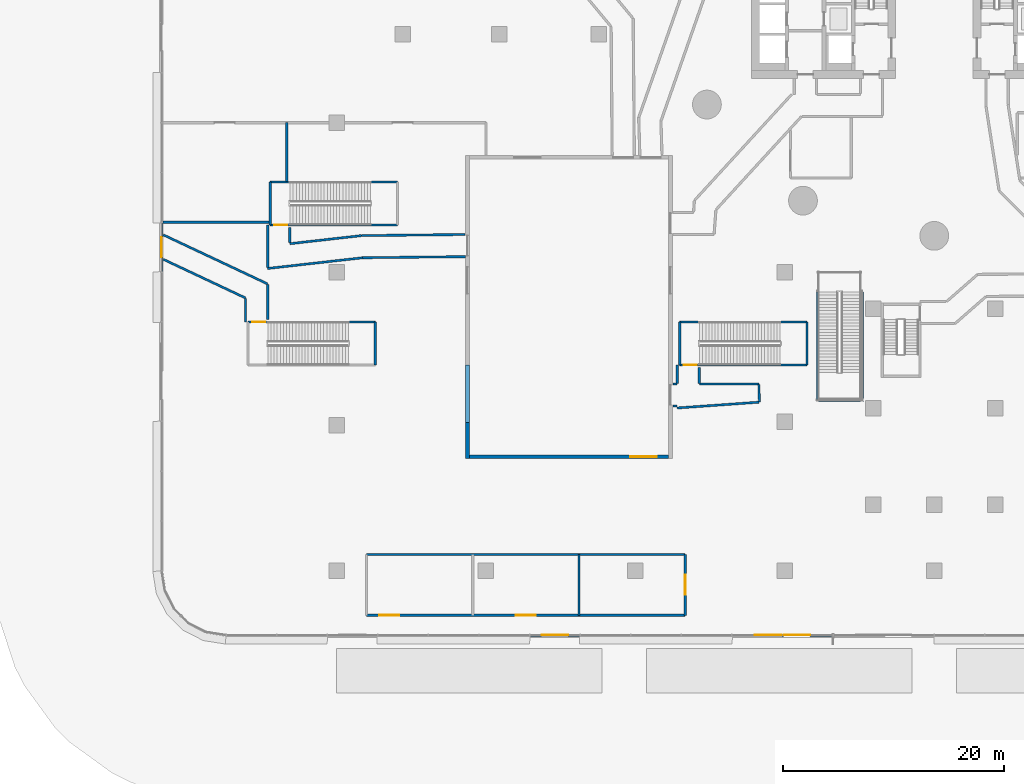
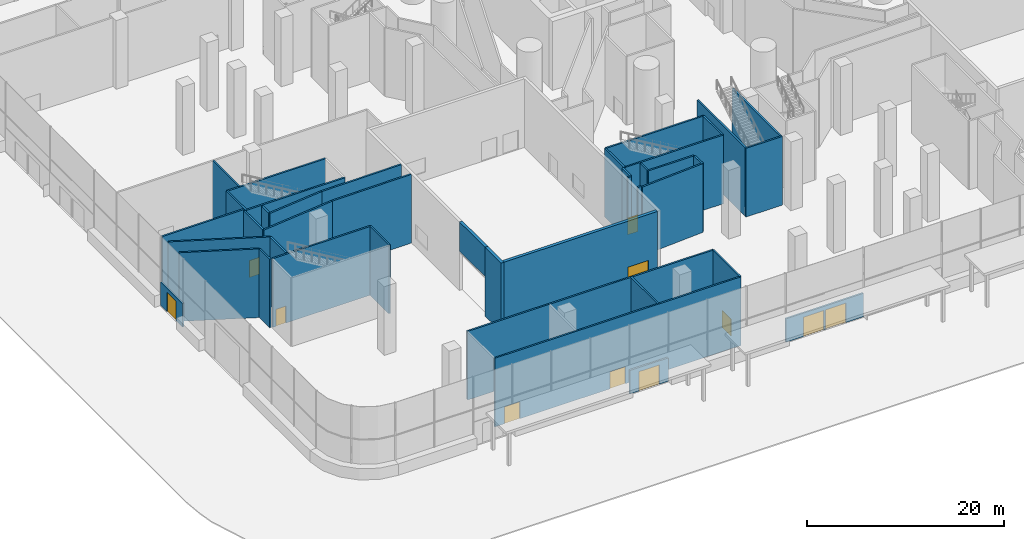
# One storey, part 21 of 54: 41 walls, 10 doors, 1 window, 11 openings.
"""IFC4 building model written with IfcOpenShell, lengths in metres."""

from ifc_helpers import new_model, si_unit, direction, frame, frame_2d, origin, place, context, subcontext, project, spatial, rectangle, extrude, material, layer, layer_set, type_object, element, fill, save


model = new_model("IFC4")

# Units and contexts
model_context = context("Model", 3, precision=1e-05, world=origin(), true_north=direction((0.0, 1.0)))
body_context = subcontext(model_context, "Body", "Model", "MODEL_VIEW")
ifc_project = project(units=[si_unit("LENGTHUNIT", "METRE"), si_unit("AREAUNIT", "SQUARE_METRE"), si_unit("VOLUMEUNIT", "CUBIC_METRE"), si_unit("PLANEANGLEUNIT", "RADIAN"), si_unit("MASSUNIT", "GRAM", prefix="KILO")], contexts=[model_context])

# Site, building, storey
site_placement = place(None, origin())
site = spatial("IfcSite", under=ifc_project, at=site_placement, CompositionType="ELEMENT")
building_placement = place(site_placement, origin())
building = spatial("IfcBuilding", under=site, at=building_placement, Name="Tamarind Cross Interchange Tower", CompositionType="ELEMENT")
storey_placement = place(building_placement, origin())
storey = spatial("IfcBuildingStorey", under=building, at=storey_placement, Name="L00", CompositionType="ELEMENT", Elevation=0.0)

# Walls
ifc_material_1 = material(Name="Precast concrete C40", Category="concrete")
ifc_layer_1 = layer(ifc_material_1, 0.35009765625)
ifc_layer_set_1 = layer_set([ifc_layer_1], Name="Precast concrete C40")
wall_type_1 = type_object("IfcWallType", Name="Court portal pier wall", PredefinedType="SOLIDWALL", material=ifc_layer_set_1)
wall_1_placement = place(storey_placement, frame((-42.175048828125, -43.85009765625, 0.0), z_axis=(0.0, 0.0, 1.0), x_axis=(0.0, 1.0, 0.0)))
element("IfcWall", 1, at=wall_1_placement, inside=storey, type_object=wall_type_1, Name="CTW-L00-SWW00", PredefinedType="SOLIDWALL", context=body_context, shape_type="SweptSolid", body=[
    extrude(rectangle(XDim=3.25, YDim=0.35009765625, at=frame_2d((1.625, 0.0))), origin(), (0.0, 0.0, 1.0), 8.5),
])
ifc_material_2 = material(Name="Masonry partition, fire-rated", Category="masonry")
ifc_layer_2 = layer(ifc_material_2, 0.199951171875)
ifc_layer_set_2 = layer_set([ifc_layer_2], Name="Masonry partition, fire-rated")
wall_type_2 = type_object("IfcWallType", Name="Fire partition 200 EI 120", PredefinedType="PARTITIONING", material=ifc_layer_set_2)
wall_2_placement = place(storey_placement, frame((-58.5, -18.820068359375, 0.0), z_axis=(0.0, 0.0, 1.0), x_axis=(0.0, 1.0, 0.0)))
element("IfcWall", 2, at=wall_2_placement, inside=storey, type_object=wall_type_2, Name="L00 partition 67", PredefinedType="PARTITIONING", context=body_context, shape_type="SweptSolid", body=[
    extrude(rectangle(XDim=5.320068359375, YDim=0.199951171875, at=frame_2d((2.66015625, 0.0))), origin(), (0.0, 0.0, 1.0), 8.5),
])

# Wall, openings, doors
wall_3_placement = place(storey_placement, frame((-51.300048828125, -58.0, 0.0), z_axis=(0.0, 0.0, 1.0), x_axis=(1.0, 0.0, 0.0)))
wall_3 = element("IfcWall", 3, at=wall_3_placement, inside=storey, type_object=wall_type_2, Name="L00 partition 74", PredefinedType="PARTITIONING", context=body_context, shape_type="SweptSolid", body=[
    extrude(rectangle(XDim=28.800048828125, YDim=0.199951171875, at=frame_2d((14.39990234375, 0.0))), origin(), (0.0, 0.0, 1.0), 8.5),
])
opening_1_placement = place(wall_3_placement, frame((13.5, 0.0, 0.0)))
opening_1 = element("IfcOpeningElement", 4, at=opening_1_placement, cuts=wall_3, Name="Opening DL00-30", PredefinedType="OPENING", context=body_context, shape_type="SweptSolid", body=[
    extrude(rectangle(XDim=1.800048828125, YDim=2.10009765625, at=frame_2d((0.89990234375, 1.050048828125))), frame((0.0, 0.10986328125, 0.0), z_axis=(0.0, -1.0, 0.0), x_axis=(1.0, 0.0, 0.0)), (0.0, 0.0, 1.0), 0.219970703125),
])
opening_2_placement = place(wall_3_placement, frame((1.159912109375, 0.0, 0.0)))
opening_2 = element("IfcOpeningElement", 5, at=opening_2_placement, cuts=wall_3, Name="Opening DL00-31", PredefinedType="OPENING", context=body_context, shape_type="SweptSolid", body=[
    extrude(rectangle(XDim=1.800048828125, YDim=2.10009765625, at=frame_2d((0.89990234375, 1.050048828125))), frame((0.0, 0.10986328125, 0.0), z_axis=(0.0, -1.0, 0.0), x_axis=(1.0, 0.0, 0.0)), (0.0, 0.0, 1.0), 0.219970703125),
])
ifc_material_3 = material(Name="Steel, fire-resisting", Category="steel")
door_type_1 = type_object("IfcDoorType", Name="Podium door 1800 x 2100 FD60", OperationType="SINGLE_SWING_LEFT", PredefinedType="DOOR", material=ifc_material_3)
door_1_placement = place(opening_1_placement, origin())
door_1 = element("IfcDoor", 6, at=door_1_placement, inside=storey, type_object=door_type_1, Name="L00 door Transit Control Room", OperationType="SINGLE_SWING_RIGHT", OverallHeight=2.10009765625, OverallWidth=1.800048828125, PredefinedType="DOOR", context=body_context, shape_type="SweptSolid", body=[
    extrude(rectangle(XDim=1.800048828125, YDim=2.10009765625, at=frame_2d((0.89990234375, 1.050048828125))), frame((0.0, 0.02490234375, 0.0), z_axis=(0.0, -1.0, 0.0), x_axis=(1.0, 0.0, 0.0)), (0.0, 0.0, 1.0), 0.050048828125),
])
fill(opening_1, door_1)
door_2_placement = place(opening_2_placement, origin())
door_2 = element("IfcDoor", 7, at=door_2_placement, inside=storey, type_object=door_type_1, Name="L00 door Fire Control Room", OperationType="SINGLE_SWING_LEFT", OverallHeight=2.10009765625, OverallWidth=1.800048828125, PredefinedType="DOOR", context=body_context, shape_type="SweptSolid", body=[
    extrude(rectangle(XDim=1.800048828125, YDim=2.10009765625, at=frame_2d((0.89990234375, 1.050048828125))), frame((0.0, 0.02490234375, 0.0), z_axis=(0.0, -1.0, 0.0), x_axis=(1.0, 0.0, 0.0)), (0.0, 0.0, 1.0), 0.050048828125),
])
fill(opening_2, door_2)

# Wall
wall_4_placement = place(storey_placement, frame((-51.300048828125, -52.5, 0.0), z_axis=(0.0, 0.0, 1.0), x_axis=(1.0, 0.0, 0.0)))
element("IfcWall", 8, at=wall_4_placement, inside=storey, type_object=wall_type_2, Name="L00 partition 77", PredefinedType="PARTITIONING", context=body_context, shape_type="SweptSolid", body=[
    extrude(rectangle(XDim=28.800048828125, YDim=0.199951171875, at=frame_2d((14.39990234375, 0.0))), origin(), (0.0, 0.0, 1.0), 8.5),
])

# Wall, opening, door
wall_5_placement = place(storey_placement, frame((-22.5, -58.0, 0.0), z_axis=(0.0, 0.0, 1.0), x_axis=(0.0, 1.0, 0.0)))
wall_5 = element("IfcWall", 9, at=wall_5_placement, inside=storey, type_object=wall_type_2, Name="L00 partition 80", PredefinedType="PARTITIONING", context=body_context, shape_type="SweptSolid", body=[
    extrude(rectangle(XDim=5.5, YDim=0.199951171875, at=frame_2d((2.75, 0.0))), origin(), (0.0, 0.0, 1.0), 8.5),
])
opening_3_placement = place(wall_5_placement, frame((1.840087890625, 0.0, 0.0)))
opening_3 = element("IfcOpeningElement", 10, at=opening_3_placement, cuts=wall_5, Name="Opening DL00-29", PredefinedType="OPENING", context=body_context, shape_type="SweptSolid", body=[
    extrude(rectangle(XDim=1.800048828125, YDim=2.10009765625, at=frame_2d((0.89990234375, 1.050048828125))), frame((0.0, 0.10986328125, 0.0), z_axis=(0.0, -1.0, 0.0), x_axis=(1.0, 0.0, 0.0)), (0.0, 0.0, 1.0), 0.219970703125),
])
door_3_placement = place(opening_3_placement, origin())
door_3 = element("IfcDoor", 11, at=door_3_placement, inside=storey, type_object=door_type_1, Name="L00 door Station Security Room", OperationType="SINGLE_SWING_LEFT", OverallHeight=2.10009765625, OverallWidth=1.800048828125, PredefinedType="DOOR", context=body_context, shape_type="SweptSolid", body=[
    extrude(rectangle(XDim=1.800048828125, YDim=2.10009765625, at=frame_2d((0.89990234375, 1.050048828125))), frame((0.0, 0.02490234375, 0.0), z_axis=(0.0, -1.0, 0.0), x_axis=(1.0, 0.0, 0.0)), (0.0, 0.0, 1.0), 0.050048828125),
])
fill(opening_3, door_3)

# Walls
wall_6_placement = place(storey_placement, frame((-32.10009765625, -58.0, 0.0), z_axis=(0.0, 0.0, 1.0), x_axis=(0.0, 1.0, 0.0)))
element("IfcWall", 12, at=wall_6_placement, inside=storey, type_object=wall_type_2, Name="L00 partition 81", PredefinedType="PARTITIONING", context=body_context, shape_type="SweptSolid", body=[
    extrude(rectangle(XDim=5.5, YDim=0.199951171875, at=frame_2d((2.75, 0.0))), origin(), (0.0, 0.0, 1.0), 8.5),
])
ifc_layer_3 = layer(ifc_material_2, 0.199951171875)
ifc_layer_set_3 = layer_set([ifc_layer_3], Name="Masonry partition, fire-rated")
wall_type_3 = type_object("IfcWallType", Name="Fire partition 200 EI 180", PredefinedType="PARTITIONING", material=ifc_layer_set_3)
wall_7_placement = place(storey_placement, frame((-69.698974609375, -22.5, 0.0), z_axis=(0.0, 0.0, 1.0), x_axis=(1.0, 0.0, 0.0)))
element("IfcWall", 13, at=wall_7_placement, inside=storey, type_object=wall_type_3, Name="L00 partition 61", PredefinedType="PARTITIONING", context=body_context, shape_type="SweptSolid", body=[
    extrude(rectangle(XDim=9.6689453125, YDim=0.199951171875, at=frame_2d((4.83447265625, 0.0))), origin(), (0.0, 0.0, 1.0), 8.5),
])

# Wall, opening, door
ifc_layer_4 = layer(ifc_material_1, 0.35009765625)
ifc_layer_set_4 = layer_set([ifc_layer_4], Name="Precast concrete C40")
wall_type_4 = type_object("IfcWallType", Name="Podium facade wall", PredefinedType="SOLIDWALL", material=ifc_layer_set_4)
wall_8_placement = place(storey_placement, frame((-69.800048828125, -22.533447265625, 0.0), z_axis=(0.0, 0.0, 1.0), x_axis=(0.0, -1.0, 0.0)))
wall_8 = element("IfcWall", 14, at=wall_8_placement, inside=storey, type_object=wall_type_4, Name="EXW-L00-04-D17", PredefinedType="SOLIDWALL", context=body_context, shape_type="SweptSolid", body=[
    extrude(rectangle(XDim=4.418701171875, YDim=0.199951171875, at=frame_2d((2.20947265625, 0.0))), origin(), (0.0, 0.0, 1.0), 2.89990234375),
])
opening_4_placement = place(wall_8_placement, frame((1.309326171875, 0.0, 0.0)))
opening_4 = element("IfcOpeningElement", 15, at=opening_4_placement, cuts=wall_8, Name="Opening D7", PredefinedType="OPENING", context=body_context, shape_type="SweptSolid", body=[
    extrude(rectangle(XDim=1.800048828125, YDim=2.39990234375, at=frame_2d((0.89990234375, 1.199951171875))), frame((0.0, 0.10986328125, 0.0), z_axis=(0.0, -1.0, 0.0), x_axis=(1.0, 0.0, 0.0)), (0.0, 0.0, 1.0), 0.219970703125),
])
ifc_material_4 = material(Name="Steel FD90", Category="steel")
door_type_2 = type_object("IfcDoorType", Name="Exit passage door", OperationType="DOUBLE_DOOR_SINGLE_SWING", PredefinedType="DOOR", material=ifc_material_4)
door_4_placement = place(opening_4_placement, frame((1.800048828125, 0.0, 0.0), z_axis=(0.0, 0.0, 1.0), x_axis=(-1.0, 0.0, 0.0)))
door_4 = element("IfcDoor", 16, at=door_4_placement, inside=storey, type_object=door_type_2, Name="DOR-L00-04-17", OperationType="SINGLE_SWING_LEFT", OverallHeight=2.39990234375, OverallWidth=1.800048828125, PredefinedType="DOOR", context=body_context, shape_type="SweptSolid", body=[
    extrude(rectangle(XDim=1.800048828125, YDim=2.39990234375, at=frame_2d((0.89990234375, 1.199951171875))), frame((0.0, 0.02490234375, 0.0), z_axis=(0.0, -1.0, 0.0), x_axis=(1.0, 0.0, 0.0)), (0.0, 0.0, 1.0), 0.050048828125),
])
fill(opening_4, door_4)

wall_9_placement = place(storey_placement, frame((-36.5224609375, -59.800048828125, 0.0), z_axis=(0.0, 0.0, 1.0), x_axis=(1.0, 0.0, 0.0)))
wall_9 = element("IfcWall", 17, at=wall_9_placement, inside=storey, type_object=wall_type_4, Name="EXW-L00-06-D06", PredefinedType="SOLIDWALL", context=body_context, shape_type="SweptSolid", body=[
    extrude(rectangle(XDim=4.490234375, YDim=0.199951171875, at=frame_2d((2.2451171875, 0.0))), origin(), (0.0, 0.0, 1.0), 2.89990234375),
])
opening_5_placement = place(wall_9_placement, frame((1.045166015625, 0.0, 0.0)))
opening_5 = element("IfcOpeningElement", 18, at=opening_5_placement, cuts=wall_9, Name="Opening D1", PredefinedType="OPENING", context=body_context, shape_type="SweptSolid", body=[
    extrude(rectangle(XDim=2.39990234375, YDim=2.39990234375, at=frame_2d((1.199951171875, 1.199951171875))), frame((0.0, 0.10986328125, 0.0), z_axis=(0.0, -1.0, 0.0), x_axis=(1.0, 0.0, 0.0)), (0.0, 0.0, 1.0), 0.219970703125),
])
ifc_material_5 = material(Name="Toughened glass and aluminium", Category="aluminium")
door_type_3 = type_object("IfcDoorType", Name="Station entrance door", OperationType="DOUBLE_DOOR_DOUBLE_SWING", PredefinedType="DOOR", material=ifc_material_5)
door_5_placement = place(opening_5_placement, frame((2.39990234375, 0.0, 0.0), z_axis=(0.0, 0.0, 1.0), x_axis=(-1.0, 0.0, 0.0)))
door_5 = element("IfcDoor", 19, at=door_5_placement, inside=storey, type_object=door_type_3, Name="DOR-L00-06-06", OperationType="DOUBLE_DOOR_DOUBLE_SWING", OverallHeight=2.39990234375, OverallWidth=2.39990234375, PredefinedType="DOOR", context=body_context, shape_type="SweptSolid", body=[
    extrude(rectangle(XDim=2.39990234375, YDim=2.39990234375, at=frame_2d((1.199951171875, 1.199951171875))), frame((0.0, 0.02490234375, 0.0), z_axis=(0.0, -1.0, 0.0), x_axis=(1.0, 0.0, 0.0)), (0.0, 0.0, 1.0), 0.050048828125),
])
fill(opening_5, door_5)

# Wall, openings, doors
wall_10_placement = place(storey_placement, frame((-18.2412109375, -59.800048828125, 0.0), z_axis=(0.0, 0.0, 1.0), x_axis=(1.0, 0.0, 0.0)))
wall_10 = element("IfcWall", 20, at=wall_10_placement, inside=storey, type_object=wall_type_4, Name="EXW-L00-06-D10", PredefinedType="SOLIDWALL", context=body_context, shape_type="SweptSolid", body=[
    extrude(rectangle(XDim=9.060546875, YDim=0.199951171875, at=frame_2d((4.5302734375, 0.0))), origin(), (0.0, 0.0, 1.0), 2.89990234375),
])
opening_6_placement = place(wall_10_placement, frame((2.0302734375, 0.0, 0.0)))
opening_6 = element("IfcOpeningElement", 21, at=opening_6_placement, cuts=wall_10, Name="Opening D1", PredefinedType="OPENING", context=body_context, shape_type="SweptSolid", body=[
    extrude(rectangle(XDim=2.39990234375, YDim=2.39990234375, at=frame_2d((1.199951171875, 1.199951171875))), frame((0.0, 0.10986328125, 0.0), z_axis=(0.0, -1.0, 0.0), x_axis=(1.0, 0.0, 0.0)), (0.0, 0.0, 1.0), 0.219970703125),
])
opening_7_placement = place(wall_10_placement, frame((4.63037109375, 0.0, 0.0)))
opening_7 = element("IfcOpeningElement", 22, at=opening_7_placement, cuts=wall_10, Name="Opening D1", PredefinedType="OPENING", context=body_context, shape_type="SweptSolid", body=[
    extrude(rectangle(XDim=2.39990234375, YDim=2.39990234375, at=frame_2d((1.199951171875, 1.199951171875))), frame((0.0, 0.10986328125, 0.0), z_axis=(0.0, -1.0, 0.0), x_axis=(1.0, 0.0, 0.0)), (0.0, 0.0, 1.0), 0.219970703125),
])
door_6_placement = place(opening_6_placement, frame((2.39990234375, 0.0, 0.0), z_axis=(0.0, 0.0, 1.0), x_axis=(-1.0, 0.0, 0.0)))
door_6 = element("IfcDoor", 23, at=door_6_placement, inside=storey, type_object=door_type_3, Name="DOR-L00-06-10A", OperationType="DOUBLE_DOOR_DOUBLE_SWING", OverallHeight=2.39990234375, OverallWidth=2.39990234375, PredefinedType="DOOR", context=body_context, shape_type="SweptSolid", body=[
    extrude(rectangle(XDim=2.39990234375, YDim=2.39990234375, at=frame_2d((1.199951171875, 1.199951171875))), frame((0.0, 0.02490234375, 0.0), z_axis=(0.0, -1.0, 0.0), x_axis=(1.0, 0.0, 0.0)), (0.0, 0.0, 1.0), 0.050048828125),
])
fill(opening_6, door_6)
door_7_placement = place(opening_7_placement, frame((2.39990234375, 0.0, 0.0), z_axis=(0.0, 0.0, 1.0), x_axis=(-1.0, 0.0, 0.0)))
door_7 = element("IfcDoor", 24, at=door_7_placement, inside=storey, type_object=door_type_3, Name="DOR-L00-06-10B", OperationType="DOUBLE_DOOR_DOUBLE_SWING", OverallHeight=2.39990234375, OverallWidth=2.39990234375, PredefinedType="DOOR", context=body_context, shape_type="SweptSolid", body=[
    extrude(rectangle(XDim=2.39990234375, YDim=2.39990234375, at=frame_2d((1.199951171875, 1.199951171875))), frame((0.0, 0.02490234375, 0.0), z_axis=(0.0, -1.0, 0.0), x_axis=(1.0, 0.0, 0.0)), (0.0, 0.0, 1.0), 0.050048828125),
])
fill(opening_7, door_7)

# Wall, opening, window
wall_11_placement = place(storey_placement, frame((-42.0, -43.675048828125, 0.0), z_axis=(0.0, 0.0, 1.0), x_axis=(1.0, 0.0, 0.0)))
wall_11 = element("IfcWall", 25, at=wall_11_placement, inside=storey, type_object=wall_type_4, Name="CTW-L00-SWS00", PredefinedType="SOLIDWALL", context=body_context, shape_type="SweptSolid", body=[
    extrude(rectangle(XDim=18.0, YDim=0.35009765625, at=frame_2d((9.0, 0.0))), origin(), (0.0, 0.0, 1.0), 8.5),
])
opening_8_placement = place(wall_11_placement, frame((14.550048828125, 0.0, 1.0)))
opening_8 = element("IfcOpeningElement", 26, at=opening_8_placement, cuts=wall_11, Name="Opening W4", PredefinedType="OPENING", context=body_context, shape_type="SweptSolid", body=[
    extrude(rectangle(XDim=2.39990234375, YDim=1.800048828125, at=frame_2d((1.199951171875, 0.89990234375))), frame((0.0, 0.18505859375, 0.0), z_axis=(0.0, -1.0, 0.0), x_axis=(1.0, 0.0, 0.0)), (0.0, 0.0, 1.0), 0.3701171875),
])
ifc_material_6 = material(Name="Aluminium and toughened glass", Category="aluminium")
window_type = type_object("IfcWindowType", Name="Podium daylight window", PartitioningType="SINGLE_PANEL", PredefinedType="WINDOW", material=ifc_material_6)
window_placement = place(opening_8_placement, origin())
window = element("IfcWindow", 27, at=window_placement, inside=storey, type_object=window_type, Name="CTX-L00-SWS-01-00", OverallHeight=1.800048828125, OverallWidth=2.39990234375, PartitioningType="SINGLE_PANEL", PredefinedType="WINDOW", context=body_context, shape_type="SweptSolid", body=[
    extrude(rectangle(XDim=2.39990234375, YDim=1.800048828125, at=frame_2d((1.199951171875, 0.89990234375))), frame((0.0, 0.030029296875, 0.0), z_axis=(0.0, -1.0, 0.0), x_axis=(1.0, 0.0, 0.0)), (0.0, 0.0, 1.0), 0.06005859375),
])
fill(opening_8, window)

# Walls
wall_12_placement = place(storey_placement, frame((-42.175048828125, -40.60009765625, 4.89990234375), z_axis=(0.0, 0.0, 1.0), x_axis=(0.0, 1.0, 0.0)))
element("IfcWall", 28, at=wall_12_placement, inside=storey, type_object=wall_type_4, Name="CTW-L00-SWW02", PredefinedType="SOLIDWALL", context=body_context, shape_type="SweptSolid", body=[
    extrude(rectangle(XDim=5.2001953125, YDim=0.35009765625, at=frame_2d((2.60009765625, 0.0))), origin(), (0.0, 0.0, 1.0), 3.60009765625),
])
ifc_material_7 = material(Name="Concrete C40", Category="concrete")
ifc_layer_5 = layer(ifc_material_7, 0.199951171875)
ifc_layer_set_5 = layer_set([ifc_layer_5], Name="Concrete C40")
wall_type_5 = type_object("IfcWallType", Name="Protected passage wall 200 EI 180", PredefinedType="PARTITIONING", material=ifc_layer_set_5)
wall_13_placement = place(storey_placement, frame((-62.22509765625, -31.5, 0.0), z_axis=(0.0, 0.0, 1.0), x_axis=(0.0, 1.0, 0.0)))
element("IfcWall", 29, at=wall_13_placement, inside=storey, type_object=wall_type_5, Name="L00 passage wall 191", PredefinedType="PARTITIONING", context=body_context, shape_type="SweptSolid", body=[
    extrude(rectangle(XDim=2.115234375, YDim=0.199951171875, at=frame_2d((1.0576171875, 0.0))), origin(), (0.0, 0.0, 1.0), 8.5),
])
wall_14_placement = place(storey_placement, frame((-62.22509765625, -29.334716796875, 0.0), z_axis=(0.0, 0.0, 1.0), x_axis=(-0.904950834227, 0.425516142623, 0.0)))
element("IfcWall", 30, at=wall_14_placement, inside=storey, type_object=wall_type_5, Name="L00 passage wall 192", PredefinedType="PARTITIONING", context=body_context, shape_type="SweptSolid", body=[
    extrude(rectangle(XDim=8.20458984375, YDim=0.199951171875, at=frame_2d((4.102294921875, 0.0))), origin(), (0.0, 0.0, 1.0), 8.5),
])
wall_15_placement = place(storey_placement, frame((-60.22509765625, -31.280029296875, 0.0), z_axis=(0.0, 0.0, 1.0), x_axis=(0.0, 1.0, 0.0)))
element("IfcWall", 31, at=wall_15_placement, inside=storey, type_object=wall_type_5, Name="L00 passage wall 193", PredefinedType="PARTITIONING", context=body_context, shape_type="SweptSolid", body=[
    extrude(rectangle(XDim=3.164794921875, YDim=0.199951171875, at=frame_2d((1.58251953125, 0.0))), origin(), (0.0, 0.0, 1.0), 8.5),
])
wall_16_placement = place(storey_placement, frame((-60.22509765625, -28.065185546875, 0.0), z_axis=(0.0, 0.0, 1.0), x_axis=(-0.904941384637, 0.425536238611, 0.0)))
element("IfcWall", 32, at=wall_16_placement, inside=storey, type_object=wall_type_5, Name="L00 passage wall 194", PredefinedType="PARTITIONING", context=body_context, shape_type="SweptSolid", body=[
    extrude(rectangle(XDim=10.414794921875, YDim=0.199951171875, at=frame_2d((5.20751953125, 0.0))), origin(), (0.0, 0.0, 1.0), 8.5),
])
wall_17_placement = place(storey_placement, frame((-58.22509765625, -22.969970703125, 0.0), z_axis=(0.0, 0.0, 1.0), x_axis=(0.0, -1.0, 0.0)))
element("IfcWall", 33, at=wall_17_placement, inside=storey, type_object=wall_type_5, Name="L00 passage wall 195", PredefinedType="PARTITIONING", context=body_context, shape_type="SweptSolid", body=[
    extrude(rectangle(XDim=1.36083984375, YDim=0.199951171875, at=frame_2d((0.680419921875, 0.0))), origin(), (0.0, 0.0, 1.0), 8.5),
])
wall_18_placement = place(storey_placement, frame((-58.22509765625, -24.4306640625, 0.0), z_axis=(0.0, 0.0, 1.0), x_axis=(0.993682539148, 0.112227498378, 0.0)))
element("IfcWall", 34, at=wall_18_placement, inside=storey, type_object=wall_type_5, Name="L00 passage wall 196", PredefinedType="PARTITIONING", context=body_context, shape_type="SweptSolid", body=[
    extrude(rectangle(XDim=6.50439453125, YDim=0.199951171875, at=frame_2d((3.252197265625, 0.0))), origin(), (0.0, 0.0, 1.0), 8.5),
])
wall_19_placement = place(storey_placement, frame((-51.76171875, -23.70068359375, 0.0), z_axis=(0.0, 0.0, 1.0), x_axis=(0.999942399474, 0.010733020753, 0.0)))
element("IfcWall", 35, at=wall_19_placement, inside=storey, type_object=wall_type_5, Name="L00 passage wall 197", PredefinedType="PARTITIONING", context=body_context, shape_type="SweptSolid", body=[
    extrude(rectangle(XDim=9.37158203125, YDim=0.199951171875, at=frame_2d((4.685791015625, 0.0))), origin(), (0.0, 0.0, 1.0), 8.5),
])
wall_20_placement = place(storey_placement, frame((-60.22509765625, -22.75, 0.0), z_axis=(0.0, 0.0, 1.0), x_axis=(0.0, -1.0, 0.0)))
element("IfcWall", 36, at=wall_20_placement, inside=storey, type_object=wall_type_5, Name="L00 passage wall 198", PredefinedType="PARTITIONING", context=body_context, shape_type="SweptSolid", body=[
    extrude(rectangle(XDim=3.8193359375, YDim=0.199951171875, at=frame_2d((1.90966796875, 0.0))), origin(), (0.0, 0.0, 1.0), 8.5),
])
wall_21_placement = place(storey_placement, frame((-60.22509765625, -26.669189453125, 0.0), z_axis=(0.0, 0.0, 1.0), x_axis=(0.993683320081, 0.112220583644, 0.0)))
element("IfcWall", 37, at=wall_21_placement, inside=storey, type_object=wall_type_5, Name="L00 passage wall 199", PredefinedType="PARTITIONING", context=body_context, shape_type="SweptSolid", body=[
    extrude(rectangle(XDim=8.641357421875, YDim=0.199951171875, at=frame_2d((4.32080078125, 0.0))), origin(), (0.0, 0.0, 1.0), 8.5),
])
wall_22_placement = place(storey_placement, frame((-51.638427734375, -25.699462890625, 0.0), z_axis=(0.0, 0.0, 1.0), x_axis=(0.999942261828, 0.010745836876, 0.0)))
element("IfcWall", 38, at=wall_22_placement, inside=storey, type_object=wall_type_5, Name="L00 passage wall 200", PredefinedType="PARTITIONING", context=body_context, shape_type="SweptSolid", body=[
    extrude(rectangle(XDim=9.26953125, YDim=0.199951171875, at=frame_2d((4.634765625, 0.0))), origin(), (0.0, 0.0, 1.0), 8.5),
])
wall_23_placement = place(storey_placement, frame((-21.22509765625, -35.6201171875, 0.0), z_axis=(0.0, 0.0, 1.0), x_axis=(0.0, -1.0, 0.0)))
element("IfcWall", 39, at=wall_23_placement, inside=storey, type_object=wall_type_5, Name="L00 passage wall 201", PredefinedType="PARTITIONING", context=body_context, shape_type="SweptSolid", body=[
    extrude(rectangle(XDim=1.429931640625, YDim=0.199951171875, at=frame_2d((0.71484375, 0.0))), origin(), (0.0, 0.0, 1.0), 8.5),
])
wall_24_placement = place(storey_placement, frame((-23.22509765625, -39.10009765625, 0.0), z_axis=(0.0, 0.0, 1.0), x_axis=(-1.0, 0.0, 0.0)))
element("IfcWall", 40, at=wall_24_placement, inside=storey, type_object=wall_type_5, Name="L00 passage wall 202", PredefinedType="PARTITIONING", context=body_context, shape_type="SweptSolid", body=[
    extrude(rectangle(XDim=0.39501953125, YDim=0.199951171875, at=frame_2d((0.197509765625, 0.0))), origin(), (0.0, 0.0, 1.0), 8.5),
])
wall_25_placement = place(storey_placement, frame((-23.22509765625, -35.39990234375, 0.0), z_axis=(0.0, 0.0, 1.0), x_axis=(0.0, -1.0, 0.0)))
element("IfcWall", 41, at=wall_25_placement, inside=storey, type_object=wall_type_5, Name="L00 passage wall 203", PredefinedType="PARTITIONING", context=body_context, shape_type="SweptSolid", body=[
    extrude(rectangle(XDim=1.650146484375, YDim=0.199951171875, at=frame_2d((0.8251953125, 0.0))), origin(), (0.0, 0.0, 1.0), 8.5),
])
wall_26_placement = place(storey_placement, frame((-23.22509765625, -37.10009765625, 0.0), z_axis=(0.0, 0.0, 1.0), x_axis=(-1.0, 0.0, 0.0)))
element("IfcWall", 42, at=wall_26_placement, inside=storey, type_object=wall_type_5, Name="L00 passage wall 204", PredefinedType="PARTITIONING", context=body_context, shape_type="SweptSolid", body=[
    extrude(rectangle(XDim=0.39501953125, YDim=0.199951171875, at=frame_2d((0.197509765625, 0.0))), origin(), (0.0, 0.0, 1.0), 8.5),
])
wall_27_placement = place(storey_placement, frame((-23.22509765625, -39.273681640625, 0.0), z_axis=(0.0, 0.0, 1.0), x_axis=(0.997476420844, 0.070998520131, 0.0)))
element("IfcWall", 43, at=wall_27_placement, inside=storey, type_object=wall_type_5, Name="L00 passage wall 205", PredefinedType="PARTITIONING", context=body_context, shape_type="SweptSolid", body=[
    extrude(rectangle(XDim=7.39990234375, YDim=0.199951171875, at=frame_2d((3.699951171875, 0.0))), origin(), (0.0, 0.0, 1.0), 8.5),
])
wall_28_placement = place(storey_placement, frame((-15.7939453125, -38.744873046875, 0.0), z_axis=(0.0, 0.0, 1.0), x_axis=(-0.035489644916, 0.99937004413, 0.0)))
element("IfcWall", 44, at=wall_28_placement, inside=storey, type_object=wall_type_5, Name="L00 passage wall 206", PredefinedType="PARTITIONING", context=body_context, shape_type="SweptSolid", body=[
    extrude(rectangle(XDim=1.595947265625, YDim=0.199951171875, at=frame_2d((0.7978515625, 0.0))), origin(), (0.0, 0.0, 1.0), 8.5),
])
wall_29_placement = place(storey_placement, frame((-15.852294921875, -37.10009765625, 0.0), z_axis=(0.0, 0.0, 1.0), x_axis=(-1.0, 0.0, 0.0)))
element("IfcWall", 45, at=wall_29_placement, inside=storey, type_object=wall_type_5, Name="L00 passage wall 207", PredefinedType="PARTITIONING", context=body_context, shape_type="SweptSolid", body=[
    extrude(rectangle(XDim=5.372802734375, YDim=0.199951171875, at=frame_2d((2.6865234375, 0.0))), origin(), (0.0, 0.0, 1.0), 8.5),
])
ifc_layer_6 = layer(ifc_material_7, 0.199951171875)
ifc_layer_set_6 = layer_set([ifc_layer_6], Name="Concrete C40")
wall_type_6 = type_object("IfcWallType", Name="Stair shaft wall 200", PredefinedType="SOLIDWALL", material=ifc_layer_set_6)
for number, where, z_axis, x_axis, name in (
    (46, (-10.60009765625, -28.800048828125, 0.0), (0.0, 0.0, 1.0), (0.0, -1.0, 0.0), "public stair PS-S shaft wall L"),
    (47, (-6.5, -28.800048828125, 0.0), (0.0, 0.0, 1.0), (0.0, -1.0, 0.0), "public stair PS-S shaft wall R"),
):
    element("IfcWall", number, at=place(storey_placement, frame(where, z_axis=z_axis, x_axis=x_axis)), inside=storey, type_object=wall_type_6, Name=name, PredefinedType="SOLIDWALL", context=body_context, shape_type="SweptSolid", body=[
        extrude(rectangle(XDim=9.699951171875, YDim=0.199951171875, at=frame_2d((4.85009765625, 0.0))), origin(), (0.0, 0.0, 1.0), 8.5),
    ])
wall_30_placement = place(storey_placement, frame((-10.699951171875, -38.60009765625, 0.0), z_axis=(0.0, 0.0, 1.0), x_axis=(1.0, 0.0, 0.0)))
element("IfcWall", 48, at=wall_30_placement, inside=storey, type_object=wall_type_6, Name="public stair PS-S shaft wall F", PredefinedType="SOLIDWALL", context=body_context, shape_type="SweptSolid", body=[
    extrude(rectangle(XDim=4.300048828125, YDim=0.199951171875, at=frame_2d((2.14990234375, 0.0))), origin(), (0.0, 0.0, 1.0), 8.5),
])

# Wall, opening, door
ifc_layer_7 = layer(ifc_material_7, 0.199951171875)
ifc_layer_set_7 = layer_set([ifc_layer_7], Name="Concrete C40")
wall_type_7 = type_object("IfcWallType", Name="Stair shaft wall 200 EI 180", PredefinedType="PARTITIONING", material=ifc_layer_set_7)
wall_31_placement = place(storey_placement, frame((-62.0, -31.5, 0.0), z_axis=(0.0, 0.0, 1.0), x_axis=(1.0, 0.0, 0.0)))
wall_31 = element("IfcWall", 49, at=wall_31_placement, inside=storey, type_object=wall_type_7, Name="L00 stair shaft wall 5", PredefinedType="PARTITIONING", context=body_context, shape_type="SweptSolid", body=[
    extrude(rectangle(XDim=11.5, YDim=0.199951171875, at=frame_2d((5.75, 0.0))), origin(), (0.0, 0.0, 1.0), 8.5),
])
opening_9_placement = place(wall_31_placement, frame((0.360107421875, 0.0, 0.0)))
opening_9 = element("IfcOpeningElement", 50, at=opening_9_placement, cuts=wall_31, Name="Opening DL00-09", PredefinedType="OPENING", context=body_context, shape_type="SweptSolid", body=[
    extrude(rectangle(XDim=1.199951171875, YDim=2.10009765625, at=frame_2d((0.60009765625, 1.050048828125))), frame((0.0, 0.10986328125, 0.0), z_axis=(0.0, -1.0, 0.0), x_axis=(1.0, 0.0, 0.0)), (0.0, 0.0, 1.0), 0.219970703125),
])
door_type_4 = type_object("IfcDoorType", Name="Podium door 1200 x 2100 FD90", OperationType="SINGLE_SWING_LEFT", PredefinedType="DOOR", material=ifc_material_3)
door_8_placement = place(opening_9_placement, origin())
door_8 = element("IfcDoor", 51, at=door_8_placement, inside=storey, type_object=door_type_4, Name="L00 door Exit Stair PX7", OperationType="SINGLE_SWING_LEFT", OverallHeight=2.10009765625, OverallWidth=1.199951171875, PredefinedType="DOOR", context=body_context, shape_type="SweptSolid", body=[
    extrude(rectangle(XDim=1.199951171875, YDim=2.10009765625, at=frame_2d((0.60009765625, 1.050048828125))), frame((0.0, 0.02490234375, 0.0), z_axis=(0.0, -1.0, 0.0), x_axis=(1.0, 0.0, 0.0)), (0.0, 0.0, 1.0), 0.050048828125),
])
fill(opening_9, door_8)

# Walls
wall_32_placement = place(storey_placement, frame((-50.5, -35.39990234375, 0.0), z_axis=(0.0, 0.0, 1.0), x_axis=(0.0, 1.0, 0.0)))
element("IfcWall", 52, at=wall_32_placement, inside=storey, type_object=wall_type_7, Name="L00 stair shaft wall 6", PredefinedType="PARTITIONING", context=body_context, shape_type="SweptSolid", body=[
    extrude(rectangle(XDim=3.89990234375, YDim=0.199951171875, at=frame_2d((1.949951171875, 0.0))), origin(), (0.0, 0.0, 1.0), 8.5),
])
wall_33_placement = place(storey_placement, frame((-60.0, -18.85009765625, 0.0), z_axis=(0.0, 0.0, 1.0), x_axis=(1.0, 0.0, 0.0)))
element("IfcWall", 53, at=wall_33_placement, inside=storey, type_object=wall_type_7, Name="L00 stair shaft wall 9", PredefinedType="PARTITIONING", context=body_context, shape_type="SweptSolid", body=[
    extrude(rectangle(XDim=11.5, YDim=0.199951171875, at=frame_2d((5.75, 0.0))), origin(), (0.0, 0.0, 1.0), 8.5),
])

# Wall, opening, door
wall_34_placement = place(storey_placement, frame((-60.0, -22.75, 0.0), z_axis=(0.0, 0.0, 1.0), x_axis=(1.0, 0.0, 0.0)))
wall_34 = element("IfcWall", 54, at=wall_34_placement, inside=storey, type_object=wall_type_7, Name="L00 stair shaft wall 11", PredefinedType="PARTITIONING", context=body_context, shape_type="SweptSolid", body=[
    extrude(rectangle(XDim=11.5, YDim=0.199951171875, at=frame_2d((5.75, 0.0))), origin(), (0.0, 0.0, 1.0), 8.5),
])
opening_10_placement = place(wall_34_placement, frame((0.35205078125, 0.0, 0.0)))
opening_10 = element("IfcOpeningElement", 55, at=opening_10_placement, cuts=wall_34, Name="Opening DL00-10", PredefinedType="OPENING", context=body_context, shape_type="SweptSolid", body=[
    extrude(rectangle(XDim=1.199951171875, YDim=2.10009765625, at=frame_2d((0.60009765625, 1.050048828125))), frame((0.0, 0.10986328125, 0.0), z_axis=(0.0, -1.0, 0.0), x_axis=(1.0, 0.0, 0.0)), (0.0, 0.0, 1.0), 0.219970703125),
])
door_9_placement = place(opening_10_placement, origin())
door_9 = element("IfcDoor", 56, at=door_9_placement, inside=storey, type_object=door_type_4, Name="L00 door Exit Stair PX8", OperationType="SINGLE_SWING_RIGHT", OverallHeight=2.10009765625, OverallWidth=1.199951171875, PredefinedType="DOOR", context=body_context, shape_type="SweptSolid", body=[
    extrude(rectangle(XDim=1.199951171875, YDim=2.10009765625, at=frame_2d((0.60009765625, 1.050048828125))), frame((0.0, 0.02490234375, 0.0), z_axis=(0.0, -1.0, 0.0), x_axis=(1.0, 0.0, 0.0)), (0.0, 0.0, 1.0), 0.050048828125),
])
fill(opening_10, door_9)

# Walls
wall_35_placement = place(storey_placement, frame((-60.0, -22.75, 0.0), z_axis=(0.0, 0.0, 1.0), x_axis=(0.0, 1.0, 0.0)))
element("IfcWall", 57, at=wall_35_placement, inside=storey, type_object=wall_type_7, Name="L00 stair shaft wall 12", PredefinedType="PARTITIONING", context=body_context, shape_type="SweptSolid", body=[
    extrude(rectangle(XDim=3.89990234375, YDim=0.199951171875, at=frame_2d((1.949951171875, 0.0))), origin(), (0.0, 0.0, 1.0), 8.5),
])
wall_36_placement = place(storey_placement, frame((-23.0, -31.5, 0.0), z_axis=(0.0, 0.0, 1.0), x_axis=(1.0, 0.0, 0.0)))
element("IfcWall", 58, at=wall_36_placement, inside=storey, type_object=wall_type_7, Name="L00 stair shaft wall 17", PredefinedType="PARTITIONING", context=body_context, shape_type="SweptSolid", body=[
    extrude(rectangle(XDim=11.5, YDim=0.199951171875, at=frame_2d((5.75, 0.0))), origin(), (0.0, 0.0, 1.0), 8.5),
])
wall_37_placement = place(storey_placement, frame((-11.5, -35.39990234375, 0.0), z_axis=(0.0, 0.0, 1.0), x_axis=(0.0, 1.0, 0.0)))
element("IfcWall", 59, at=wall_37_placement, inside=storey, type_object=wall_type_7, Name="L00 stair shaft wall 18", PredefinedType="PARTITIONING", context=body_context, shape_type="SweptSolid", body=[
    extrude(rectangle(XDim=3.89990234375, YDim=0.199951171875, at=frame_2d((1.949951171875, 0.0))), origin(), (0.0, 0.0, 1.0), 8.5),
])

# Wall, opening, door
wall_38_placement = place(storey_placement, frame((-23.0, -35.39990234375, 0.0), z_axis=(0.0, 0.0, 1.0), x_axis=(1.0, 0.0, 0.0)))
wall_38 = element("IfcWall", 60, at=wall_38_placement, inside=storey, type_object=wall_type_7, Name="L00 stair shaft wall 19", PredefinedType="PARTITIONING", context=body_context, shape_type="SweptSolid", body=[
    extrude(rectangle(XDim=11.5, YDim=0.199951171875, at=frame_2d((5.75, 0.0))), origin(), (0.0, 0.0, 1.0), 8.5),
])
opening_11_placement = place(wall_38_placement, frame((0.35205078125, 0.0, 0.0)))
opening_11 = element("IfcOpeningElement", 61, at=opening_11_placement, cuts=wall_38, Name="Opening DL00-11", PredefinedType="OPENING", context=body_context, shape_type="SweptSolid", body=[
    extrude(rectangle(XDim=1.199951171875, YDim=2.10009765625, at=frame_2d((0.60009765625, 1.050048828125))), frame((0.0, 0.10986328125, 0.0), z_axis=(0.0, -1.0, 0.0), x_axis=(1.0, 0.0, 0.0)), (0.0, 0.0, 1.0), 0.219970703125),
])
door_10_placement = place(opening_11_placement, origin())
door_10 = element("IfcDoor", 62, at=door_10_placement, inside=storey, type_object=door_type_4, Name="L00 door Exit Stair PX9", OperationType="SINGLE_SWING_LEFT", OverallHeight=2.10009765625, OverallWidth=1.199951171875, PredefinedType="DOOR", context=body_context, shape_type="SweptSolid", body=[
    extrude(rectangle(XDim=1.199951171875, YDim=2.10009765625, at=frame_2d((0.60009765625, 1.050048828125))), frame((0.0, 0.02490234375, 0.0), z_axis=(0.0, -1.0, 0.0), x_axis=(1.0, 0.0, 0.0)), (0.0, 0.0, 1.0), 0.050048828125),
])
fill(opening_11, door_10)

# Wall
wall_39_placement = place(storey_placement, frame((-23.0, -35.39990234375, 0.0), z_axis=(0.0, 0.0, 1.0), x_axis=(0.0, 1.0, 0.0)))
element("IfcWall", 63, at=wall_39_placement, inside=storey, type_object=wall_type_7, Name="L00 stair shaft wall 20", PredefinedType="PARTITIONING", context=body_context, shape_type="SweptSolid", body=[
    extrude(rectangle(XDim=3.89990234375, YDim=0.199951171875, at=frame_2d((1.949951171875, 0.0))), origin(), (0.0, 0.0, 1.0), 8.5),
])

save(model, "model.ifc")
